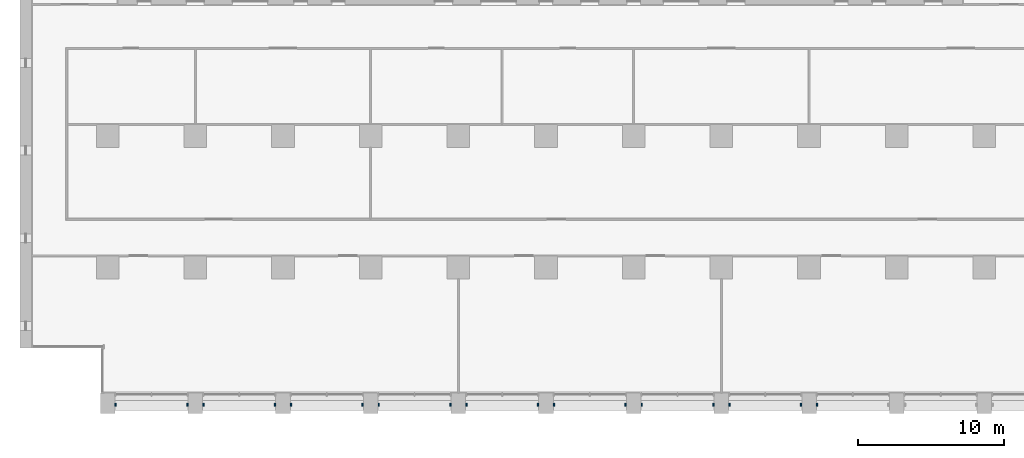
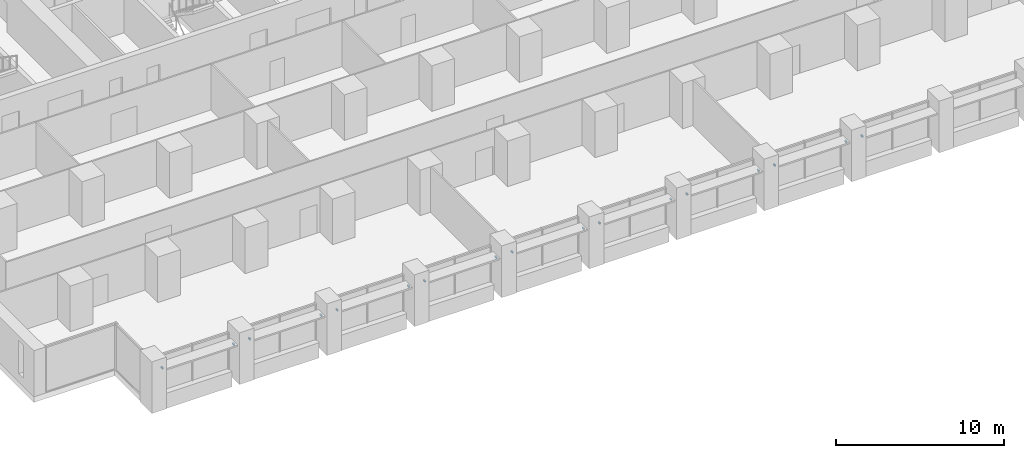
# One storey, part 15 of 17: 17 discrete accessories.
"""IFC4 building model written with IfcOpenShell, lengths in metres."""

from ifc_helpers import new_model, si_unit, direction, frame, origin, origin_2d, place, context, subcontext, project, spatial, rectangle, extrude, element, save


model = new_model("IFC4")

# Units and contexts
model_context = context("Model", 3, precision=1e-05, world=origin(), true_north=direction((0.0, 1.0)))
body_context = subcontext(model_context, "Body", "Model", "MODEL_VIEW")
ifc_project = project(units=[si_unit("LENGTHUNIT", "METRE"), si_unit("AREAUNIT", "SQUARE_METRE"), si_unit("VOLUMEUNIT", "CUBIC_METRE"), si_unit("PLANEANGLEUNIT", "RADIAN"), si_unit("MASSUNIT", "GRAM", prefix="KILO")], contexts=[model_context])

# Site, building, storey
site_placement = place(None, origin())
site = spatial("IfcSite", under=ifc_project, at=site_placement, CompositionType="ELEMENT")
building_placement = place(site_placement, origin())
building = spatial("IfcBuilding", under=site, at=building_placement, Name="Calvaro Tower", CompositionType="ELEMENT")
storey_placement = place(building_placement, frame((0.0, 0.0, 75.0)))
storey = spatial("IfcBuildingStorey", under=building, at=storey_placement, Name="L18", CompositionType="ELEMENT", Elevation=75.0)

# Discrete accessories
for number, where, z_axis, x_axis, name in (
    (1, (6.550048828125, 0.60009765625, 2.14990234375), (0.0, 0.0, 1.0), (1.0, 0.0, 0.0), "Brise-soleil bracket"),
    (2, (11.449951171875, 0.60009765625, 2.14990234375), (0.0, 0.0, 1.0), (1.0, 0.0, 0.0), "Brise-soleil bracket"),
    (3, (12.550048828125, 0.60009765625, 2.14990234375), (0.0, 0.0, 1.0), (1.0, 0.0, 0.0), "Brise-soleil bracket"),
    (4, (17.449951171875, 0.60009765625, 2.14990234375), (0.0, 0.0, 1.0), (1.0, 0.0, 0.0), "Brise-soleil bracket"),
    (5, (18.550048828125, 0.60009765625, 2.14990234375), (0.0, 0.0, 1.0), (1.0, 0.0, 0.0), "Brise-soleil bracket"),
    (6, (23.449951171875, 0.60009765625, 2.14990234375), (0.0, 0.0, 1.0), (1.0, 0.0, 0.0), "Brise-soleil bracket"),
    (7, (24.550048828125, 0.60009765625, 2.14990234375), (0.0, 0.0, 1.0), (1.0, 0.0, 0.0), "Brise-soleil bracket"),
    (8, (29.449951171875, 0.60009765625, 2.14990234375), (0.0, 0.0, 1.0), (1.0, 0.0, 0.0), "Brise-soleil bracket"),
    (9, (30.550048828125, 0.60009765625, 2.14990234375), (0.0, 0.0, 1.0), (1.0, 0.0, 0.0), "Brise-soleil bracket"),
    (10, (35.449951171875, 0.60009765625, 2.14990234375), (0.0, 0.0, 1.0), (1.0, 0.0, 0.0), "Brise-soleil bracket"),
    (11, (36.550048828125, 0.60009765625, 2.14990234375), (0.0, 0.0, 1.0), (1.0, 0.0, 0.0), "Brise-soleil bracket"),
    (12, (41.449951171875, 0.60009765625, 2.14990234375), (0.0, 0.0, 1.0), (1.0, 0.0, 0.0), "Brise-soleil bracket"),
    (13, (42.550048828125, 0.60009765625, 2.14990234375), (0.0, 0.0, 1.0), (1.0, 0.0, 0.0), "Brise-soleil bracket"),
    (14, (47.449951171875, 0.60009765625, 2.14990234375), (0.0, 0.0, 1.0), (1.0, 0.0, 0.0), "Brise-soleil bracket"),
    (15, (48.550048828125, 0.60009765625, 2.14990234375), (0.0, 0.0, 1.0), (1.0, 0.0, 0.0), "Brise-soleil bracket"),
    (16, (53.449951171875, 0.60009765625, 2.14990234375), (0.0, 0.0, 1.0), (1.0, 0.0, 0.0), "Brise-soleil bracket"),
    (17, (54.550048828125, 0.60009765625, 2.14990234375), (0.0, 0.0, 1.0), (1.0, 0.0, 0.0), "Brise-soleil bracket"),
):
    element("IfcDiscreteAccessory", number, at=place(storey_placement, frame(where, z_axis=z_axis, x_axis=x_axis)), inside=storey, Name=name, PredefinedType="BRACKET", context=body_context, shape_type="SweptSolid", body=[
        extrude(rectangle(XDim=0.10009765625, YDim=0.199951171875, at=origin_2d()), origin(), (0.0, 0.0, 1.0), 0.10009765625),
    ])

save(model, "model.ifc")
